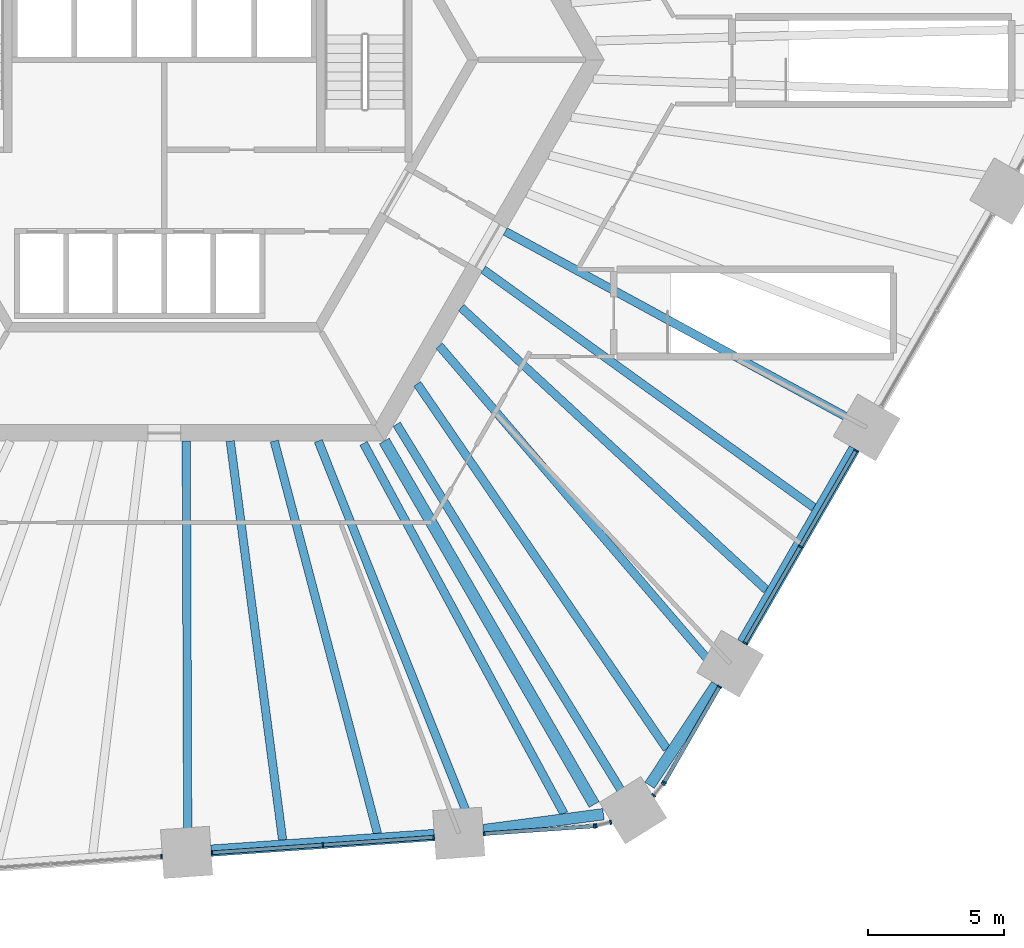
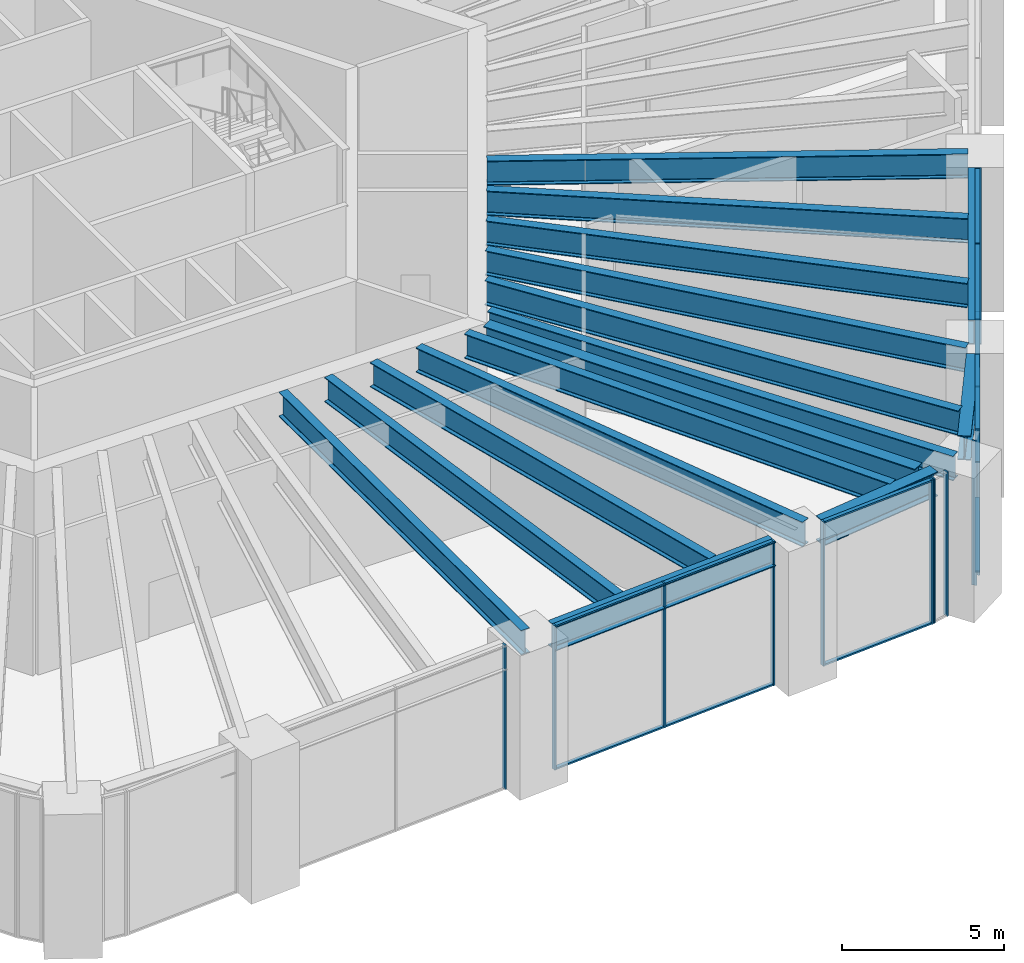
# One storey, part 4 of 25: 27 members, 16 beams, 7 elements without a shape of their own.
"""IFC4 building model written with IfcOpenShell, lengths in metres."""

from ifc_helpers import new_model, si_unit, direction, frame, origin, origin_2d, place, context, subcontext, project, spatial, rectangle, i_section, extrude, material, material_profile, profile_set, type_object, element, aggregate, save


model = new_model("IFC4")

# Units and contexts
model_context = context("Model", 3, precision=1e-05, world=origin(), true_north=direction((0.0, 1.0)))
body_context = subcontext(model_context, "Body", "Model", "MODEL_VIEW")
ifc_project = project(units=[si_unit("LENGTHUNIT", "METRE"), si_unit("AREAUNIT", "SQUARE_METRE"), si_unit("VOLUMEUNIT", "CUBIC_METRE"), si_unit("PLANEANGLEUNIT", "RADIAN"), si_unit("MASSUNIT", "GRAM", prefix="KILO")], contexts=[model_context])

# Site, building, storey
site_placement = place(None, origin())
site = spatial("IfcSite", under=ifc_project, at=site_placement, CompositionType="ELEMENT")
building_placement = place(site_placement, origin())
building = spatial("IfcBuilding", under=site, at=building_placement, Name="Tarnside Tower", CompositionType="ELEMENT")
storey_placement = place(building_placement, frame((0.0, 0.0, 26.0)))
storey = spatial("IfcBuildingStorey", under=building, at=storey_placement, Name="L04", CompositionType="ELEMENT", Elevation=26.0)

# Beams
ifc_material_1 = material(Name="Steel S355", Category="steel")
ifc_material_profile_1 = material_profile(ifc_material_1, i_section(OverallWidth=0.3076171875, OverallDepth=0.926513671875, WebThickness=0.01953125, FlangeThickness=0.031982421875, FilletRadius=0.01904296875, at=origin_2d()), Name="UB 914x305x289")
ifc_profile_set_1 = profile_set([ifc_material_profile_1], Name="Steel S355")
beam_type_1 = type_object("IfcBeamType", Name="Floor beam UB 914x305x289", PredefinedType="BEAM", material=ifc_profile_set_1)
beam_1_placement = place(storey_placement, frame((0.8623046875, -28.89990234375, 4.73681640625), z_axis=(-0.003621146175, 0.999993443629, 0.0), x_axis=(-0.999993443629, -0.003621146175, 0.0)))
element("IfcBeam", 1, at=beam_1_placement, inside=storey, type_object=beam_type_1, Name="Floor beam F4.05", PredefinedType="BEAM", context=body_context, shape_type="SweptSolid", body=[
    extrude(i_section(OverallWidth=0.3076171875, OverallDepth=0.926513671875, WebThickness=0.01953125, FlangeThickness=0.031982421875, FilletRadius=0.01904296875, at=origin_2d()), origin(), (0.0, 0.0, 1.0), 14.89990234375),
])
beam_2_placement = place(storey_placement, frame((4.34765625, -28.65625, 4.73681640625), z_axis=(-0.130081949033, 0.991503245852, 0.0), x_axis=(-0.991503245852, -0.130081949033, 0.0)))
element("IfcBeam", 2, at=beam_2_placement, inside=storey, type_object=beam_type_1, Name="Floor beam F4.06", PredefinedType="BEAM", context=body_context, shape_type="SweptSolid", body=[
    extrude(i_section(OverallWidth=0.3076171875, OverallDepth=0.926513671875, WebThickness=0.01953125, FlangeThickness=0.031982421875, FilletRadius=0.01904296875, at=origin_2d()), origin(), (0.0, 0.0, 1.0), 14.78173828125),
])
beam_3_placement = place(storey_placement, frame((7.83154296875, -28.41259765625, 4.73681640625), z_axis=(-0.254320728051, 0.967119934281, 0.0), x_axis=(-0.967119934281, -0.254320728051, 0.0)))
element("IfcBeam", 3, at=beam_3_placement, inside=storey, type_object=beam_type_1, Name="Floor beam F4.07", PredefinedType="BEAM", context=body_context, shape_type="SweptSolid", body=[
    extrude(i_section(OverallWidth=0.3076171875, OverallDepth=0.926513671875, WebThickness=0.01953125, FlangeThickness=0.031982421875, FilletRadius=0.01904296875, at=origin_2d()), origin(), (0.0, 0.0, 1.0), 14.902587890625),
])
beam_4_placement = place(storey_placement, frame((11.3017578125, -28.138671875, 4.73681640625), z_axis=(-0.370729742981, 0.928740791432, 0.0), x_axis=(-0.928740791432, -0.370729742981, 0.0)))
element("IfcBeam", 4, at=beam_4_placement, inside=storey, type_object=beam_type_1, Name="Floor beam F4.08", PredefinedType="BEAM", context=body_context, shape_type="SweptSolid", body=[
    extrude(i_section(OverallWidth=0.3076171875, OverallDepth=0.926513671875, WebThickness=0.01953125, FlangeThickness=0.031982421875, FilletRadius=0.01904296875, at=origin_2d()), origin(), (0.0, 0.0, 1.0), 15.223388671875),
])
beam_5_placement = place(storey_placement, frame((14.684814453125, -27.690673828125, 4.73681640625), z_axis=(-0.476001933663, 0.879444233109, 0.0), x_axis=(-0.879444233109, -0.476001933663, 0.0)))
element("IfcBeam", 5, at=beam_5_placement, inside=storey, type_object=beam_type_1, Name="Floor beam F4.09", PredefinedType="BEAM", context=body_context, shape_type="SweptSolid", body=[
    extrude(i_section(OverallWidth=0.3076171875, OverallDepth=0.926513671875, WebThickness=0.01953125, FlangeThickness=0.031982421875, FilletRadius=0.01904296875, at=origin_2d()), origin(), (0.0, 0.0, 1.0), 15.467529296875),
])
beam_6_placement = place(storey_placement, frame((17.107421875, -27.364013671875, 4.73681640625), z_axis=(-0.522583706497, 0.852587983556, 0.0), x_axis=(-0.852587983556, -0.522583706497, 0.0)))
element("IfcBeam", 6, at=beam_6_placement, inside=storey, type_object=beam_type_1, Name="Floor beam C4", PredefinedType="BEAM", context=body_context, shape_type="SweptSolid", body=[
    extrude(i_section(OverallWidth=0.3076171875, OverallDepth=0.926513671875, WebThickness=0.01953125, FlangeThickness=0.031982421875, FilletRadius=0.01904296875, at=origin_2d()), origin(), (0.0, 0.0, 1.0), 16.395751953125),
])
beam_7_placement = place(storey_placement, frame((18.4658203125, -25.314697265625, 4.73681640625), z_axis=(-0.564342929086, 0.825540464418, 0.0), x_axis=(-0.825540464418, -0.564342929086, 0.0)))
element("IfcBeam", 7, at=beam_7_placement, inside=storey, type_object=beam_type_1, Name="Floor beam F5.01", PredefinedType="BEAM", context=body_context, shape_type="SweptSolid", body=[
    extrude(i_section(OverallWidth=0.3076171875, OverallDepth=0.926513671875, WebThickness=0.01953125, FlangeThickness=0.031982421875, FilletRadius=0.01904296875, at=origin_2d()), origin(), (0.0, 0.0, 1.0), 16.249755859375),
])
beam_8_placement = place(storey_placement, frame((20.351806640625, -22.47021484375, 4.73681640625), z_axis=(-0.650356182347, 0.759629407068, 0.0), x_axis=(-0.759629407068, -0.650356182347, 0.0)))
element("IfcBeam", 8, at=beam_8_placement, inside=storey, type_object=beam_type_1, Name="Floor beam F5.02", PredefinedType="BEAM", context=body_context, shape_type="SweptSolid", body=[
    extrude(i_section(OverallWidth=0.3076171875, OverallDepth=0.926513671875, WebThickness=0.01953125, FlangeThickness=0.031982421875, FilletRadius=0.01904296875, at=origin_2d()), origin(), (0.0, 0.0, 1.0), 15.758056640625),
])
beam_9_placement = place(storey_placement, frame((22.119384765625, -19.467529296875, 4.73681640625), z_axis=(-0.734083895409, 0.679058785748, 0.0), x_axis=(-0.679058785748, -0.734083895409, 0.0)))
element("IfcBeam", 9, at=beam_9_placement, inside=storey, type_object=beam_type_1, Name="Floor beam F5.03", PredefinedType="BEAM", context=body_context, shape_type="SweptSolid", body=[
    extrude(i_section(OverallWidth=0.3076171875, OverallDepth=0.926513671875, WebThickness=0.01953125, FlangeThickness=0.031982421875, FilletRadius=0.01904296875, at=origin_2d()), origin(), (0.0, 0.0, 1.0), 15.267333984375),
])
beam_10_placement = place(storey_placement, frame((23.86669921875, -16.441162109375, 4.73681640625), z_axis=(-0.811669235156, 0.584117327856, 0.0), x_axis=(-0.584117327856, -0.811669235156, 0.0)))
element("IfcBeam", 10, at=beam_10_placement, inside=storey, type_object=beam_type_1, Name="Floor beam F5.04", PredefinedType="BEAM", context=body_context, shape_type="SweptSolid", body=[
    extrude(i_section(OverallWidth=0.3076171875, OverallDepth=0.926513671875, WebThickness=0.01953125, FlangeThickness=0.031982421875, FilletRadius=0.01904296875, at=origin_2d()), origin(), (0.0, 0.0, 1.0), 14.96484375),
])
beam_11_placement = place(storey_placement, frame((25.614013671875, -13.41455078125, 4.73681640625), z_axis=(-0.878544364298, 0.477660758237, 0.0), x_axis=(-0.477660758237, -0.878544364298, 0.0)))
element("IfcBeam", 11, at=beam_11_placement, inside=storey, type_object=beam_type_1, Name="Floor beam F5.05", PredefinedType="BEAM", context=body_context, shape_type="SweptSolid", body=[
    extrude(i_section(OverallWidth=0.3076171875, OverallDepth=0.926513671875, WebThickness=0.01953125, FlangeThickness=0.031982421875, FilletRadius=0.01904296875, at=origin_2d()), origin(), (0.0, 0.0, 1.0), 14.89453125),
])
ifc_material_2 = material(Name="Steel S460", Category="steel")
ifc_material_profile_2 = material_profile(ifc_material_2, i_section(OverallWidth=0.42041015625, OverallDepth=0.9208984375, WebThickness=0.021484375, FlangeThickness=0.03662109375, FilletRadius=0.024169921875, at=origin_2d()), Name="UB 914x419x388")
ifc_profile_set_2 = profile_set([ifc_material_profile_2], Name="Steel S460")
beam_type_2 = type_object("IfcBeamType", Name="Perimeter girder UB 914x419x388", PredefinedType="BEAM", material=ifc_profile_set_2)
beam_12_placement = place(storey_placement, frame((1.719482421875, -29.05078125, 4.739501953125), z_axis=(0.99756353515, 0.069763839764, 0.0), x_axis=(-0.069763839764, 0.99756353515, 0.0)))
element("IfcBeam", 12, at=beam_12_placement, inside=storey, type_object=beam_type_2, Name="Perimeter girder M14", PredefinedType="BEAM", context=body_context, shape_type="SweptSolid", body=[
    extrude(i_section(OverallWidth=0.42041015625, OverallDepth=0.9208984375, WebThickness=0.021484375, FlangeThickness=0.03662109375, FilletRadius=0.024169921875, at=origin_2d()), origin(), (0.0, 0.0, 1.0), 8.223876953125),
])
for number, where, z_axis, x_axis, name in (
    (13, (11.733154296875, -28.293701171875, 4.739501953125), (0.991349927248, 0.13124527323, 0.0), (-0.13124527323, 0.991349927248, 0.0), "Perimeter girder M15"),
    (14, (17.833251953125, -26.649658203125, 4.739501953125), (0.55252857913, 0.833493952734, 0.0), (-0.833493952734, 0.55252857913, 0.0), "Perimeter girder M16"),
):
    element("IfcBeam", number, at=place(storey_placement, frame(where, z_axis=z_axis, x_axis=x_axis)), inside=storey, type_object=beam_type_2, Name=name, PredefinedType="BEAM", context=body_context, shape_type="SweptSolid", body=[
        extrude(i_section(OverallWidth=0.42041015625, OverallDepth=0.9208984375, WebThickness=0.021484375, FlangeThickness=0.03662109375, FilletRadius=0.024169921875, at=origin_2d()), origin(), (0.0, 0.0, 1.0), 4.440185546875),
    ])
beam_13_placement = place(storey_placement, frame((21.2451171875, -21.402587890625, 4.739501953125), z_axis=(0.499989712218, 0.866031343357, 0.0), x_axis=(-0.866031343357, 0.499989712218, 0.0)))
element("IfcBeam", 15, at=beam_13_placement, inside=storey, type_object=beam_type_2, Name="Perimeter girder M17", PredefinedType="BEAM", context=body_context, shape_type="SweptSolid", body=[
    extrude(i_section(OverallWidth=0.42041015625, OverallDepth=0.9208984375, WebThickness=0.021484375, FlangeThickness=0.03662109375, FilletRadius=0.024169921875, at=origin_2d()), origin(), (0.0, 0.0, 1.0), 8.223876953125),
])
beam_14_placement = place(storey_placement, frame((8.0830078125, -14.0, 4.739501953125), z_axis=(0.49999427205, -0.866028710793, 0.0), x_axis=(0.866028710793, 0.49999427205, 0.0)))
element("IfcBeam", 16, at=beam_14_placement, inside=storey, type_object=beam_type_2, Name="Perimeter girder SG3", PredefinedType="BEAM", context=body_context, shape_type="SweptSolid", body=[
    extrude(i_section(OverallWidth=0.42041015625, OverallDepth=0.9208984375, WebThickness=0.021484375, FlangeThickness=0.03662109375, FilletRadius=0.024169921875, at=origin_2d()), origin(), (0.0, 0.0, 1.0), 15.420166015625),
])

# Curtain wall, member
ifc_material_3 = material(Name="Retail shopfront glazing wall", Category="glass")
curtain_wall_type = type_object("IfcCurtainWallType", Name="Retail shopfront glazing wall", PredefinedType="NOTDEFINED", material=ifc_material_3)
curtain_wall_1_placement = place(storey_placement, origin())
curtain_wall_1 = element("IfcCurtainWall", 17, at=curtain_wall_1_placement, inside=storey, type_object=curtain_wall_type, Name="Retail shopfront glazing L04 12.0", PredefinedType="NOTDEFINED")
ifc_material_4 = material(Name="Aluminium alloy 6063", Category="aluminium")
ifc_material_profile_3 = material_profile(ifc_material_4, rectangle(XDim=0.159912109375, YDim=0.06005859375, at=origin_2d()), Name="Retail shopfront glazing mullion 60 x 160")
ifc_profile_set_3 = profile_set([ifc_material_profile_3], Name="Aluminium alloy 6063")
member_type_1 = type_object("IfcMemberType", Name="Retail shopfront glazing mullion 60 x 160", PredefinedType="MULLION", material=ifc_profile_set_3)
member_1_placement = place(storey_placement, frame((-0.100341796875, -29.25830078125, -0.25), z_axis=(0.0, 0.0, 1.0), x_axis=(-0.069756473779, 0.997564050257, 0.0)))
member_1 = element("IfcMember", 18, at=member_1_placement, type_object=member_type_1, Name="CW2 mullion 3", PredefinedType="MULLION", context=body_context, shape_type="SweptSolid", body=[
    extrude(rectangle(XDim=0.159912109375, YDim=0.06005859375, at=origin_2d()), origin(), (0.0, 0.0, 1.0), 5.449951171875),
])
aggregate(curtain_wall_1, [member_1])

# Curtain wall, members
curtain_wall_2_placement = place(storey_placement, origin())
curtain_wall_2 = element("IfcCurtainWall", 19, at=curtain_wall_2_placement, inside=storey, type_object=curtain_wall_type, Name="Retail shopfront glazing L04 13.0", PredefinedType="NOTDEFINED")
member_2_placement = place(storey_placement, frame((1.755126953125, -29.12841796875, -0.25), z_axis=(0.0, 0.0, 1.0), x_axis=(-0.069756473779, 0.997564050257, 0.0)))
member_2 = element("IfcMember", 20, at=member_2_placement, type_object=member_type_1, Name="CW2 mullion 1", PredefinedType="MULLION", context=body_context, shape_type="SweptSolid", body=[
    extrude(rectangle(XDim=0.159912109375, YDim=0.06005859375, at=origin_2d()), origin(), (0.0, 0.0, 1.0), 5.449951171875),
])
member_3_placement = place(storey_placement, frame((5.826904296875, -28.84375, -0.25), z_axis=(0.0, 0.0, 1.0), x_axis=(-0.069756473779, 0.997564050257, 0.0)))
member_3 = element("IfcMember", 21, at=member_3_placement, type_object=member_type_1, Name="CW2 mullion 2", PredefinedType="MULLION", context=body_context, shape_type="SweptSolid", body=[
    extrude(rectangle(XDim=0.159912109375, YDim=0.06005859375, at=origin_2d()), origin(), (0.0, 0.0, 1.0), 5.449951171875),
])
member_4_placement = place(storey_placement, frame((9.89892578125, -28.55908203125, -0.25), z_axis=(0.0, 0.0, 1.0), x_axis=(-0.069756473779, 0.997564050257, 0.0)))
member_4 = element("IfcMember", 22, at=member_4_placement, type_object=member_type_1, Name="CW2 mullion 3", PredefinedType="MULLION", context=body_context, shape_type="SweptSolid", body=[
    extrude(rectangle(XDim=0.159912109375, YDim=0.06005859375, at=origin_2d()), origin(), (0.0, 0.0, 1.0), 5.449951171875),
])

curtain_wall_3_placement = place(storey_placement, origin())
curtain_wall_3 = element("IfcCurtainWall", 23, at=curtain_wall_3_placement, inside=storey, type_object=curtain_wall_type, Name="Retail shopfront glazing L04 14.0", PredefinedType="NOTDEFINED")
member_5_placement = place(storey_placement, frame((11.75439453125, -28.42919921875, -0.25), z_axis=(0.0, 0.0, 1.0), x_axis=(-0.069756473918, 0.997564050248, 0.0)))
member_5 = element("IfcMember", 24, at=member_5_placement, type_object=member_type_1, Name="CW2 mullion 1", PredefinedType="MULLION", context=body_context, shape_type="SweptSolid", body=[
    extrude(rectangle(XDim=0.159912109375, YDim=0.06005859375, at=origin_2d()), origin(), (0.0, 0.0, 1.0), 5.449951171875),
])
member_6_placement = place(storey_placement, frame((15.79638671875, -28.146728515625, -0.25), z_axis=(0.0, 0.0, 1.0), x_axis=(-0.069756473918, 0.997564050248, 0.0)))
member_6 = element("IfcMember", 25, at=member_6_placement, type_object=member_type_1, Name="CW2 mullion 2", PredefinedType="MULLION", context=body_context, shape_type="SweptSolid", body=[
    extrude(rectangle(XDim=0.159912109375, YDim=0.06005859375, at=origin_2d()), origin(), (0.0, 0.0, 1.0), 5.449951171875),
])

curtain_wall_4_placement = place(storey_placement, origin())
curtain_wall_4 = element("IfcCurtainWall", 26, at=curtain_wall_4_placement, inside=storey, type_object=curtain_wall_type, Name="Retail shopfront glazing L04 14.1", PredefinedType="NOTDEFINED")
member_7_placement = place(storey_placement, frame((15.868408203125, -28.1357421875, -0.25), z_axis=(0.0, 0.0, 1.0), x_axis=(-0.230615871127, 0.973044870489, 0.0)))
member_7 = element("IfcMember", 27, at=member_7_placement, type_object=member_type_1, Name="CW2 mullion 1", PredefinedType="MULLION", context=body_context, shape_type="SweptSolid", body=[
    extrude(rectangle(XDim=0.159912109375, YDim=0.06005859375, at=origin_2d()), origin(), (0.0, 0.0, 1.0), 5.449951171875),
])
member_8_placement = place(storey_placement, frame((16.40185546875, -28.00927734375, -0.25), z_axis=(0.0, 0.0, 1.0), x_axis=(-0.230615871127, 0.973044870489, 0.0)))
member_8 = element("IfcMember", 28, at=member_8_placement, type_object=member_type_1, Name="CW2 mullion 2", PredefinedType="MULLION", context=body_context, shape_type="SweptSolid", body=[
    extrude(rectangle(XDim=0.159912109375, YDim=0.06005859375, at=origin_2d()), origin(), (0.0, 0.0, 1.0), 5.449951171875),
])
aggregate(curtain_wall_4, [member_7, member_8])

curtain_wall_5_placement = place(storey_placement, origin())
curtain_wall_5 = element("IfcCurtainWall", 29, at=curtain_wall_5_placement, inside=storey, type_object=curtain_wall_type, Name="Retail shopfront glazing L04 15.0", PredefinedType="NOTDEFINED")
member_9_placement = place(storey_placement, frame((17.984375, -27.020263671875, -0.25), z_axis=(0.0, 0.0, 1.0), x_axis=(-0.77347159307, 0.633830966989, 0.0)))
member_9 = element("IfcMember", 30, at=member_9_placement, type_object=member_type_1, Name="CW2 mullion 1", PredefinedType="MULLION", context=body_context, shape_type="SweptSolid", body=[
    extrude(rectangle(XDim=0.159912109375, YDim=0.06005859375, at=origin_2d()), origin(), (0.0, 0.0, 1.0), 5.449951171875),
])
member_10_placement = place(storey_placement, frame((18.33203125, -26.59619140625, -0.25), z_axis=(0.0, 0.0, 1.0), x_axis=(-0.77347159307, 0.633830966989, 0.0)))
member_10 = element("IfcMember", 31, at=member_10_placement, type_object=member_type_1, Name="CW2 mullion 2", PredefinedType="MULLION", context=body_context, shape_type="SweptSolid", body=[
    extrude(rectangle(XDim=0.159912109375, YDim=0.06005859375, at=origin_2d()), origin(), (0.0, 0.0, 1.0), 5.449951171875),
])
aggregate(curtain_wall_5, [member_9, member_10])

curtain_wall_6_placement = place(storey_placement, origin())
curtain_wall_6 = element("IfcCurtainWall", 32, at=curtain_wall_6_placement, inside=storey, type_object=curtain_wall_type, Name="Retail shopfront glazing L04 15.1", PredefinedType="NOTDEFINED")
member_11_placement = place(storey_placement, frame((18.373291015625, -26.536376953125, -0.25), z_axis=(0.0, 0.0, 1.0), x_axis=(-0.866025403767, 0.50000000003, 0.0)))
member_11 = element("IfcMember", 33, at=member_11_placement, type_object=member_type_1, Name="CW2 mullion 1", PredefinedType="MULLION", context=body_context, shape_type="SweptSolid", body=[
    extrude(rectangle(XDim=0.159912109375, YDim=0.06005859375, at=origin_2d()), origin(), (0.0, 0.0, 1.0), 5.449951171875),
])
member_12_placement = place(storey_placement, frame((20.3994140625, -23.02734375, -0.25), z_axis=(0.0, 0.0, 1.0), x_axis=(-0.866025403767, 0.50000000003, 0.0)))
member_12 = element("IfcMember", 34, at=member_12_placement, type_object=member_type_1, Name="CW2 mullion 2", PredefinedType="MULLION", context=body_context, shape_type="SweptSolid", body=[
    extrude(rectangle(XDim=0.159912109375, YDim=0.06005859375, at=origin_2d()), origin(), (0.0, 0.0, 1.0), 5.449951171875),
])

curtain_wall_7_placement = place(storey_placement, origin())
curtain_wall_7 = element("IfcCurtainWall", 35, at=curtain_wall_7_placement, inside=storey, type_object=curtain_wall_type, Name="Retail shopfront glazing L04 16.0", PredefinedType="NOTDEFINED")
member_13_placement = place(storey_placement, frame((21.329345703125, -21.41650390625, -0.25), z_axis=(0.0, 0.0, 1.0), x_axis=(-0.866025403819, 0.49999999994, 0.0)))
member_13 = element("IfcMember", 36, at=member_13_placement, type_object=member_type_1, Name="CW2 mullion 1", PredefinedType="MULLION", context=body_context, shape_type="SweptSolid", body=[
    extrude(rectangle(XDim=0.159912109375, YDim=0.06005859375, at=origin_2d()), origin(), (0.0, 0.0, 1.0), 5.449951171875),
])
member_14_placement = place(storey_placement, frame((23.370361328125, -17.881591796875, -0.25), z_axis=(0.0, 0.0, 1.0), x_axis=(-0.866025403819, 0.49999999994, 0.0)))
member_14 = element("IfcMember", 37, at=member_14_placement, type_object=member_type_1, Name="CW2 mullion 2", PredefinedType="MULLION", context=body_context, shape_type="SweptSolid", body=[
    extrude(rectangle(XDim=0.159912109375, YDim=0.06005859375, at=origin_2d()), origin(), (0.0, 0.0, 1.0), 5.449951171875),
])
member_15_placement = place(storey_placement, frame((25.4111328125, -14.3466796875, -0.25), z_axis=(0.0, 0.0, 1.0), x_axis=(-0.866025403819, 0.49999999994, 0.0)))
member_15 = element("IfcMember", 38, at=member_15_placement, type_object=member_type_1, Name="CW2 mullion 3", PredefinedType="MULLION", context=body_context, shape_type="SweptSolid", body=[
    extrude(rectangle(XDim=0.159912109375, YDim=0.06005859375, at=origin_2d()), origin(), (0.0, 0.0, 1.0), 5.449951171875),
])

# Member
ifc_material_profile_4 = material_profile(ifc_material_4, rectangle(XDim=0.139892578125, YDim=0.06005859375, at=origin_2d()), Name="Retail shopfront glazing transom 60 x 140")
ifc_profile_set_4 = profile_set([ifc_material_profile_4], Name="Aluminium alloy 6063")
member_type_2 = type_object("IfcMemberType", Name="Retail shopfront glazing transom 60 x 140", PredefinedType="USERDEFINED", material=ifc_profile_set_4)
member_16_placement = place(storey_placement, frame((1.784912109375, -29.12646484375, -0.219970703125), z_axis=(0.99756479881, 0.069745768153, 0.0), x_axis=(-0.069745768153, 0.99756479881, 0.0)))
member_16 = element("IfcMember", 39, at=member_16_placement, type_object=member_type_2, Name="CW2 transom 1.1", ObjectType="TRANSOM", PredefinedType="USERDEFINED", context=body_context, shape_type="SweptSolid", body=[
    extrude(rectangle(XDim=0.139892578125, YDim=0.06005859375, at=origin_2d()), origin(), (0.0, 0.0, 1.0), 4.02197265625),
])

member_17_placement = place(storey_placement, frame((1.784912109375, -29.12646484375, 5.169921875), z_axis=(0.99756479881, 0.069745768153, 0.0), x_axis=(-0.069745768153, 0.99756479881, 0.0)))
member_17 = element("IfcMember", 40, at=member_17_placement, type_object=member_type_2, Name="CW2 transom 1.2", ObjectType="TRANSOM", PredefinedType="USERDEFINED", context=body_context, shape_type="SweptSolid", body=[
    extrude(rectangle(XDim=0.139892578125, YDim=0.06005859375, at=origin_2d()), origin(), (0.0, 0.0, 1.0), 4.02197265625),
])

member_18_placement = place(storey_placement, frame((5.85693359375, -28.841796875, -0.219970703125), z_axis=(0.997560277835, 0.069810400992, 0.0), x_axis=(-0.069810400992, 0.997560277835, 0.0)))
member_18 = element("IfcMember", 41, at=member_18_placement, type_object=member_type_2, Name="CW2 transom 2.1", ObjectType="TRANSOM", PredefinedType="USERDEFINED", context=body_context, shape_type="SweptSolid", body=[
    extrude(rectangle(XDim=0.139892578125, YDim=0.06005859375, at=origin_2d()), origin(), (0.0, 0.0, 1.0), 4.021728515625),
])

member_19_placement = place(storey_placement, frame((5.85693359375, -28.841796875, 5.169921875), z_axis=(0.997560277835, 0.069810400992, 0.0), x_axis=(-0.069810400992, 0.997560277835, 0.0)))
member_19 = element("IfcMember", 42, at=member_19_placement, type_object=member_type_2, Name="CW2 transom 2.2", ObjectType="TRANSOM", PredefinedType="USERDEFINED", context=body_context, shape_type="SweptSolid", body=[
    extrude(rectangle(XDim=0.139892578125, YDim=0.06005859375, at=origin_2d()), origin(), (0.0, 0.0, 1.0), 4.021728515625),
])

aggregate(curtain_wall_2, [member_2, member_3, member_4, member_16, member_17, member_18, member_19])

member_20_placement = place(storey_placement, frame((11.7841796875, -28.42724609375, -0.219970703125), z_axis=(0.99756224643, 0.069782264924, 0.0), x_axis=(-0.069782264924, 0.99756224643, 0.0)))
member_20 = element("IfcMember", 43, at=member_20_placement, type_object=member_type_2, Name="CW2 transom 1.1", ObjectType="TRANSOM", PredefinedType="USERDEFINED", context=body_context, shape_type="SweptSolid", body=[
    extrude(rectangle(XDim=0.139892578125, YDim=0.06005859375, at=origin_2d()), origin(), (0.0, 0.0, 1.0), 3.991943359375),
])

member_21_placement = place(storey_placement, frame((11.7841796875, -28.42724609375, 5.169921875), z_axis=(0.99756224643, 0.069782264924, 0.0), x_axis=(-0.069782264924, 0.99756224643, 0.0)))
member_21 = element("IfcMember", 44, at=member_21_placement, type_object=member_type_2, Name="CW2 transom 1.2", ObjectType="TRANSOM", PredefinedType="USERDEFINED", context=body_context, shape_type="SweptSolid", body=[
    extrude(rectangle(XDim=0.139892578125, YDim=0.06005859375, at=origin_2d()), origin(), (0.0, 0.0, 1.0), 3.991943359375),
])

aggregate(curtain_wall_3, [member_5, member_6, member_20, member_21])

member_22_placement = place(storey_placement, frame((18.388427734375, -26.51025390625, -0.219970703125), z_axis=(0.499987164874, 0.866032814021, 0.0), x_axis=(-0.866032814021, 0.499987164874, 0.0)))
member_22 = element("IfcMember", 45, at=member_22_placement, type_object=member_type_2, Name="CW2 transom 1.1", ObjectType="TRANSOM", PredefinedType="USERDEFINED", context=body_context, shape_type="SweptSolid", body=[
    extrude(rectangle(XDim=0.139892578125, YDim=0.06005859375, at=origin_2d()), origin(), (0.0, 0.0, 1.0), 3.99169921875),
])

member_23_placement = place(storey_placement, frame((18.388427734375, -26.51025390625, 5.169921875), z_axis=(0.499987164874, 0.866032814021, 0.0), x_axis=(-0.866032814021, 0.499987164874, 0.0)))
member_23 = element("IfcMember", 46, at=member_23_placement, type_object=member_type_2, Name="CW2 transom 1.2", ObjectType="TRANSOM", PredefinedType="USERDEFINED", context=body_context, shape_type="SweptSolid", body=[
    extrude(rectangle(XDim=0.139892578125, YDim=0.06005859375, at=origin_2d()), origin(), (0.0, 0.0, 1.0), 3.99169921875),
])

aggregate(curtain_wall_6, [member_11, member_12, member_22, member_23])

member_24_placement = place(storey_placement, frame((21.34423828125, -21.390625, -0.219970703125), z_axis=(0.499997437312, 0.866026883348, 0.0), x_axis=(-0.866026883348, 0.499997437312, 0.0)))
member_24 = element("IfcMember", 47, at=member_24_placement, type_object=member_type_2, Name="CW2 transom 1.1", ObjectType="TRANSOM", PredefinedType="USERDEFINED", context=body_context, shape_type="SweptSolid", body=[
    extrude(rectangle(XDim=0.139892578125, YDim=0.06005859375, at=origin_2d()), origin(), (0.0, 0.0, 1.0), 4.02197265625),
])

member_25_placement = place(storey_placement, frame((21.34423828125, -21.390625, 5.169921875), z_axis=(0.499997437312, 0.866026883348, 0.0), x_axis=(-0.866026883348, 0.499997437312, 0.0)))
member_25 = element("IfcMember", 48, at=member_25_placement, type_object=member_type_2, Name="CW2 transom 1.2", ObjectType="TRANSOM", PredefinedType="USERDEFINED", context=body_context, shape_type="SweptSolid", body=[
    extrude(rectangle(XDim=0.139892578125, YDim=0.06005859375, at=origin_2d()), origin(), (0.0, 0.0, 1.0), 4.02197265625),
])

member_26_placement = place(storey_placement, frame((23.38525390625, -17.85546875, -0.219970703125), z_axis=(0.500023722852, 0.866011706956, 0.0), x_axis=(-0.866011706956, 0.500023722852, 0.0)))
member_26 = element("IfcMember", 49, at=member_26_placement, type_object=member_type_2, Name="CW2 transom 2.1", ObjectType="TRANSOM", PredefinedType="USERDEFINED", context=body_context, shape_type="SweptSolid", body=[
    extrude(rectangle(XDim=0.139892578125, YDim=0.06005859375, at=origin_2d()), origin(), (0.0, 0.0, 1.0), 4.021728515625),
])

member_27_placement = place(storey_placement, frame((23.38525390625, -17.85546875, 5.169921875), z_axis=(0.500023722852, 0.866011706956, 0.0), x_axis=(-0.866011706956, 0.500023722852, 0.0)))
member_27 = element("IfcMember", 50, at=member_27_placement, type_object=member_type_2, Name="CW2 transom 2.2", ObjectType="TRANSOM", PredefinedType="USERDEFINED", context=body_context, shape_type="SweptSolid", body=[
    extrude(rectangle(XDim=0.139892578125, YDim=0.06005859375, at=origin_2d()), origin(), (0.0, 0.0, 1.0), 4.021728515625),
])

aggregate(curtain_wall_7, [member_13, member_14, member_15, member_24, member_25, member_26, member_27])

save(model, "model.ifc")
